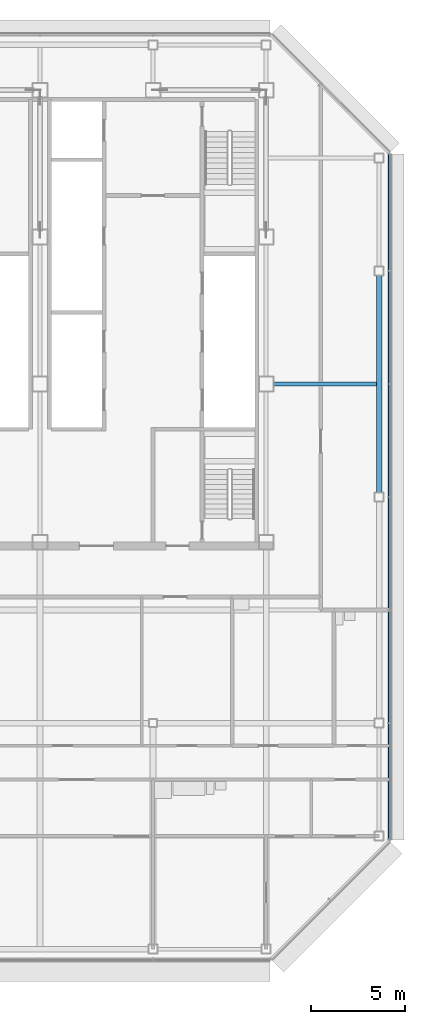
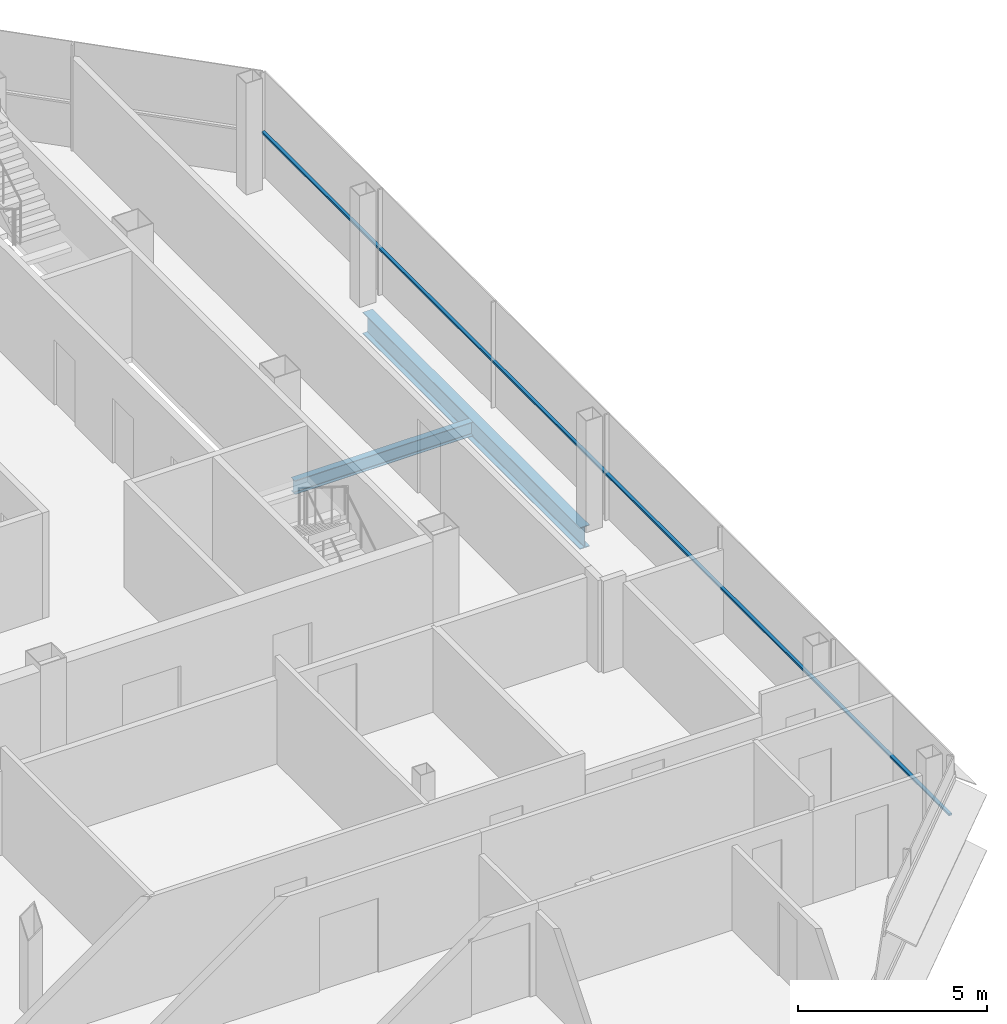
# One storey, part 18 of 27: 2 beams, 1 member, 1 element without a shape of its own.
"""IFC4 building model written with IfcOpenShell, lengths in metres."""

from ifc_helpers import new_model, si_unit, direction, frame, origin, origin_2d, place, context, subcontext, project, spatial, rectangle, i_section, extrude, material, material_profile, profile_set, type_object, element, aggregate, save


model = new_model("IFC4")

# Units and contexts
model_context = context("Model", 3, precision=1e-05, world=origin(), true_north=direction((0.0, 1.0)))
body_context = subcontext(model_context, "Body", "Model", "MODEL_VIEW")
ifc_project = project(units=[si_unit("LENGTHUNIT", "METRE"), si_unit("AREAUNIT", "SQUARE_METRE"), si_unit("VOLUMEUNIT", "CUBIC_METRE"), si_unit("PLANEANGLEUNIT", "RADIAN"), si_unit("MASSUNIT", "GRAM", prefix="KILO")], contexts=[model_context])

# Site, building, storey
site_placement = place(None, origin())
site = spatial("IfcSite", under=ifc_project, at=site_placement, CompositionType="ELEMENT")
building_placement = place(site_placement, origin())
building = spatial("IfcBuilding", under=site, at=building_placement, Name="Sorahane Residences", CompositionType="ELEMENT")
storey_placement = place(building_placement, frame((0.0, 0.0, 316.0)))
storey = spatial("IfcBuildingStorey", under=building, at=storey_placement, Name="L75", CompositionType="ELEMENT", Elevation=316.0)

# Curtain wall, member
ifc_material_1 = material(Name="Dark low-e glass and black anodised aluminium", Category="aluminium")
curtain_wall_type = type_object("IfcCurtainWallType", Name="Curtain wall CW-1 Typical unitised wall", PredefinedType="NOTDEFINED", material=ifc_material_1)
curtain_wall_placement = place(storey_placement, origin())
curtain_wall = element("IfcCurtainWall", 1, at=curtain_wall_placement, inside=storey, type_object=curtain_wall_type, Name="CW-1 curtain wall L75 E1", PredefinedType="NOTDEFINED")
ifc_material_2 = material(Name="Black anodised aluminium", Category="aluminium")
ifc_material_profile_1 = material_profile(ifc_material_2, rectangle(XDim=0.10009765625, YDim=0.06005859375, at=origin_2d()), Name="Curtain wall transom CW-1 black anodised aluminium 60x100")
ifc_profile_set_1 = profile_set([ifc_material_profile_1], Name="Black anodised aluminium")
member_type = type_object("IfcMemberType", Name="Curtain wall transom CW-1 black anodised aluminium 60x100", PredefinedType="USERDEFINED", material=ifc_profile_set_1)
member_placement = place(storey_placement, frame((48.530029296875, 5.801513671875, 1.5), z_axis=(0.0, 1.0, 0.0), x_axis=(-1.0, 0.0, 0.0)))
member = element("IfcMember", 2, at=member_placement, type_object=member_type, Name="CW-1 transom L75 E1", ObjectType="TRANSOM", PredefinedType="USERDEFINED", context=body_context, shape_type="SweptSolid", body=[
    extrude(rectangle(XDim=0.10009765625, YDim=0.06005859375, at=origin_2d()), origin(), (0.0, 0.0, 1.0), 36.39697265625),
])
aggregate(curtain_wall, [member])

# Beams
ifc_material_3 = material(Name="Steel Q355B", Category="steel")
ifc_material_profile_2 = material_profile(ifc_material_3, i_section(OverallWidth=0.199951171875, OverallDepth=0.449951171875, WebThickness=0.009033203125, FlangeThickness=0.013916015625, FilletRadius=0.02001953125, at=origin_2d()), Name="HN 450x200x9x14")
ifc_profile_set_2 = profile_set([ifc_material_profile_2], Name="Steel Q355B")
beam_type_1 = type_object("IfcBeamType", Name="Steel floor beam HN 450x200x9x14 Q355B", PredefinedType="BEAM", material=ifc_profile_set_2)
beam_1_placement = place(storey_placement, frame((42.39990234375, 30.0, -0.405029296875), z_axis=(1.0, 0.0, 0.0), x_axis=(0.0, 1.0, 0.0)))
element("IfcBeam", 3, at=beam_1_placement, inside=storey, type_object=beam_type_1, Name="Beam L75 086", PredefinedType="BEAM", context=body_context, shape_type="SweptSolid", body=[
    extrude(i_section(OverallWidth=0.199951171875, OverallDepth=0.449951171875, WebThickness=0.009033203125, FlangeThickness=0.013916015625, FilletRadius=0.02001953125, at=origin_2d()), origin(), (0.0, 0.0, 1.0), 5.4501953125),
])
ifc_material_4 = material(Name="Steel Q355B", Category="steel")
ifc_material_profile_3 = material_profile(ifc_material_4, i_section(OverallWidth=0.300048828125, OverallDepth=0.699951171875, WebThickness=0.012939453125, FlangeThickness=0.02392578125, FilletRadius=0.028076171875, at=origin_2d()), Name="HN 700x300x13x24")
ifc_profile_set_3 = profile_set([ifc_material_profile_3], Name="Steel Q355B")
beam_type_2 = type_object("IfcBeamType", Name="Steel floor beam HN 700x300x13x24 Q355B", PredefinedType="BEAM", material=ifc_profile_set_3)
beam_2_placement = place(storey_placement, frame((48.0, 24.25, -0.530029296875), z_axis=(0.0, 1.0, 0.0), x_axis=(-1.0, 0.0, 0.0)))
element("IfcBeam", 4, at=beam_2_placement, inside=storey, type_object=beam_type_2, Name="Beam L75 064", PredefinedType="BEAM", context=body_context, shape_type="SweptSolid", body=[
    extrude(i_section(OverallWidth=0.300048828125, OverallDepth=0.699951171875, WebThickness=0.012939453125, FlangeThickness=0.02392578125, FilletRadius=0.028076171875, at=origin_2d()), origin(), (0.0, 0.0, 1.0), 11.5),
])

save(model, "model.ifc")
